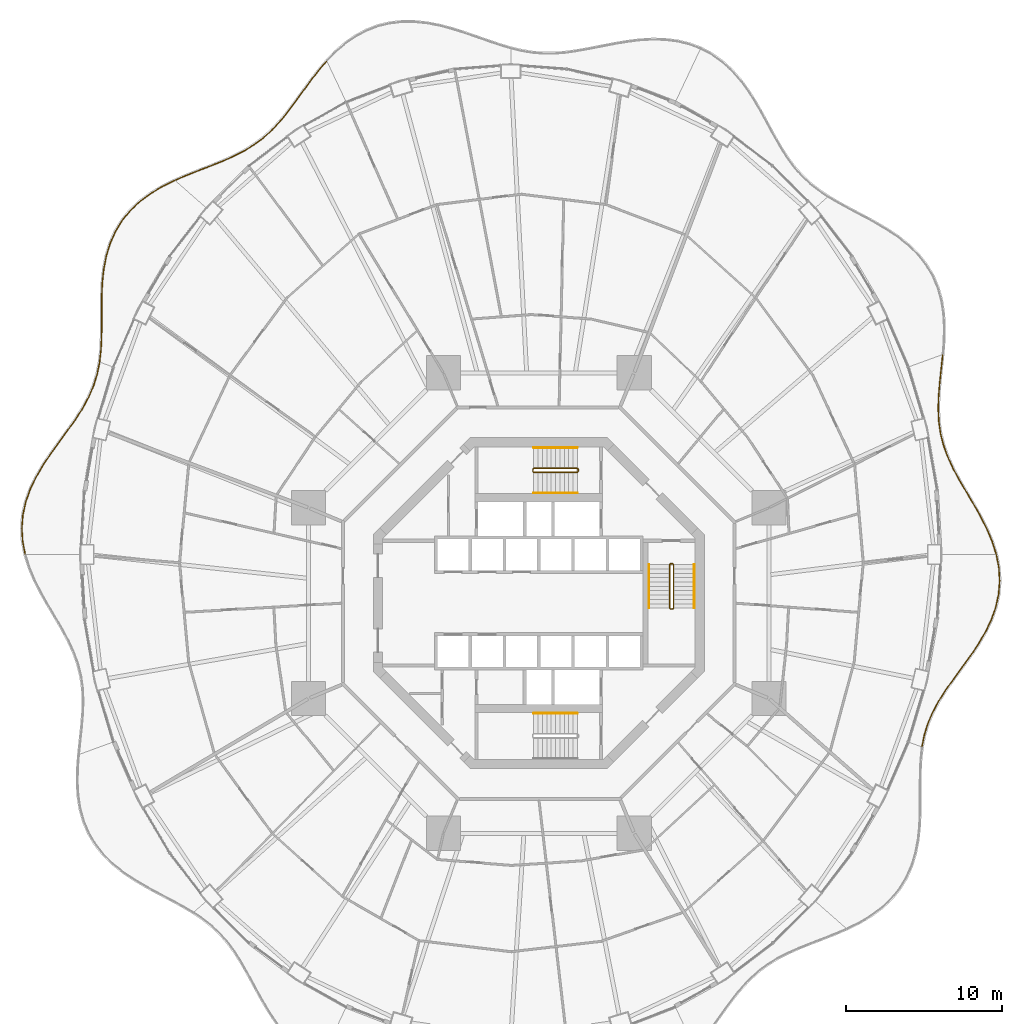
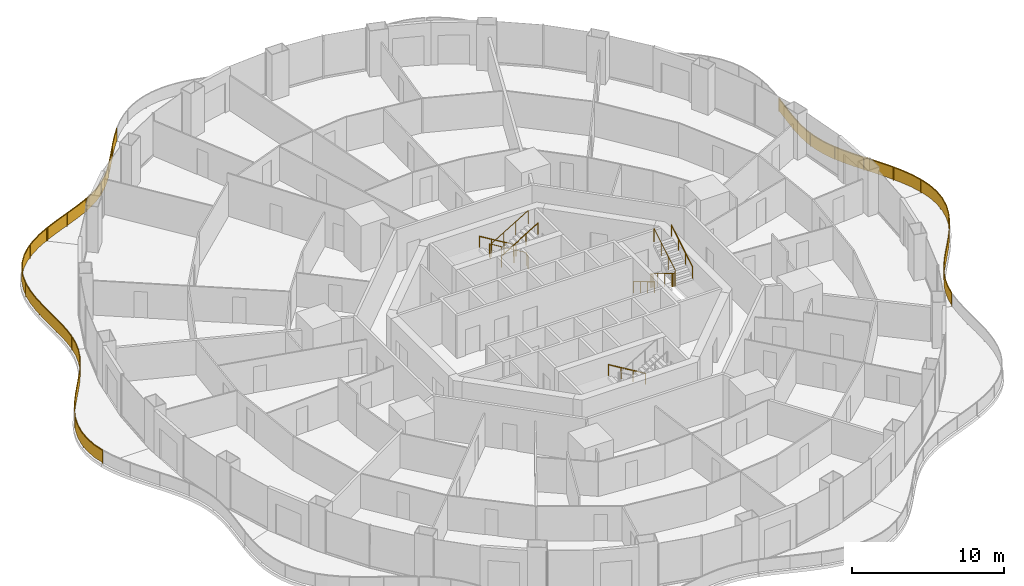
# One storey, part 21 of 22: 12 railings.
"""IFC4 building model written with IfcOpenShell, lengths in metres."""

from ifc_helpers import new_model, si_unit, direction, frame, origin, origin_2d, place, context, subcontext, project, spatial, polyline, rectangle, circle, outline, extrude, material, type_object, element, save


model = new_model("IFC4")

# Units and contexts
model_context = context("Model", 3, precision=1e-05, world=origin(), true_north=direction((0.0, 1.0)))
body_context = subcontext(model_context, "Body", "Model", "MODEL_VIEW")
ifc_project = project(units=[si_unit("LENGTHUNIT", "METRE"), si_unit("AREAUNIT", "SQUARE_METRE"), si_unit("VOLUMEUNIT", "CUBIC_METRE"), si_unit("PLANEANGLEUNIT", "RADIAN"), si_unit("MASSUNIT", "GRAM", prefix="KILO")], contexts=[model_context])

# Site, building, storey
site_placement = place(None, origin())
site = spatial("IfcSite", under=ifc_project, at=site_placement, CompositionType="ELEMENT")
building_placement = place(site_placement, origin())
building = spatial("IfcBuilding", under=site, at=building_placement, Name="Nagisa Residences", CompositionType="ELEMENT")
storey_placement = place(building_placement, frame((0.0, 0.0, 88.10009765625)))
storey = spatial("IfcBuildingStorey", under=building, at=storey_placement, Name="L21", CompositionType="ELEMENT", Elevation=88.10009765625)

# Railings
ifc_material_1 = material(Name="Stainless steel 316", Category="steel")
railing_type_1 = type_object("IfcRailingType", Name="BALCONY GUARD 1100", PredefinedType="BALUSTRADE", material=ifc_material_1)
railing_1_placement = place(storey_placement, frame((29.3564453125, 3.154541015625, 0.0)))
element("IfcRailing", 1, at=railing_1_placement, inside=storey, type_object=railing_type_1, Name="guard:L21:bal00-0", PredefinedType="BALUSTRADE", context=body_context, shape_type="SweptSolid", body=[
    extrude(outline(polyline([(-0.277099609375, 0.7880859375), (-0.02392578125, -0.007568359375), (0.02392578125, 0.007568359375), (-0.230224609375, 0.8056640625), (-0.58056640625, 1.6337890625), (-0.99267578125, 2.444091796875), (-1.440673828125, 3.235107421875), (-1.89892578125, 4.00830078125), (-2.339111328125, 4.7529296875), (-2.7412109375, 5.502197265625), (-3.0849609375, 6.248291015625), (-3.356201171875, 6.998779296875), (-3.54736328125, 7.761474609375), (-3.65478515625, 8.528564453125), (-3.6904296875, 9.333740234375), (-3.6640625, 10.16552734375), (-3.59228515625, 11.024169921875), (-3.497802734375, 11.90673828125), (-3.4072265625, 12.762451171875), (-3.45703125, 12.767822265625), (-3.547607421875, 11.912109375), (-3.64208984375, 11.029052734375), (-3.7138671875, 10.16845703125), (-3.74072265625, 9.333251953125), (-3.70458984375, 8.524169921875), (-3.5966796875, 7.751708984375), (-3.404052734375, 6.984130859375), (-3.13134765625, 6.229248046875), (-2.7861328125, 5.479736328125), (-2.382568359375, 4.728515625), (-1.94189453125, 3.98291015625), (-1.484130859375, 3.210205078125), (-1.03662109375, 2.420166015625), (-0.6259765625, 1.61279296875), (-0.277099609375, 0.7880859375)])), frame((0.0, 0.0, 1.050048828125)), (0.0, 0.0, 1.0), 0.050048828125),
    extrude(outline(polyline([(-0.26025390625, 0.79443359375), (-0.006591796875, -0.002197265625), (0.006591796875, 0.002197265625), (-0.2470703125, 0.79931640625), (-0.596923828125, 1.626220703125), (-1.008544921875, 2.435546875), (-1.456298828125, 3.22607421875), (-1.914306640625, 3.999267578125), (-2.354736328125, 4.744140625), (-2.75732421875, 5.494140625), (-3.1015625, 6.241455078125), (-3.37353515625, 6.993408203125), (-3.565185546875, 7.7578125), (-3.672607421875, 8.527099609375), (-3.70849609375, 9.33349609375), (-3.681884765625, 10.16650390625), (-3.610107421875, 11.02587890625), (-3.515625, 11.90869140625), (-3.425048828125, 12.764404296875), (-3.439208984375, 12.765869140625), (-3.52978515625, 11.91015625), (-3.624267578125, 11.02734375), (-3.696044921875, 10.16748046875), (-3.72265625, 9.33349609375), (-3.686767578125, 8.525634765625), (-3.578857421875, 7.75537109375), (-3.38671875, 6.989501953125), (-3.11474609375, 6.236083984375), (-2.77001953125, 5.48779296875), (-2.366943359375, 4.7373046875), (-1.926513671875, 3.991943359375), (-1.468505859375, 3.21923828125), (-1.020751953125, 2.4287109375), (-0.609619140625, 1.620361328125), (-0.26025390625, 0.79443359375)])), frame((0.0, 0.0, 0.06005859375)), (0.0, 0.0, 1.0), 0.989990234375),
    extrude(rectangle(XDim=0.0400390625, YDim=0.0400390625, at=origin_2d()), origin(), (0.0, 0.0, 1.0), 1.050048828125),
    extrude(rectangle(XDim=0.0400390625, YDim=0.0400390625, at=origin_2d()), frame((-0.845458984375, 2.099609375, 0.0)), (0.0, 0.0, 1.0), 1.050048828125),
    extrude(rectangle(XDim=0.0400390625, YDim=0.0400390625, at=origin_2d()), frame((-1.965087890625, 4.0712890625, 0.0)), (0.0, 0.0, 1.0), 1.050048828125),
    extrude(rectangle(XDim=0.0400390625, YDim=0.0400390625, at=origin_2d()), frame((-3.031005859375, 6.071044921875, 0.0)), (0.0, 0.0, 1.0), 1.050048828125),
    extrude(rectangle(XDim=0.0400390625, YDim=0.0400390625, at=origin_2d()), frame((-3.640380859375, 8.24609375, 0.0)), (0.0, 0.0, 1.0), 1.050048828125),
    extrude(rectangle(XDim=0.0400390625, YDim=0.0400390625, at=origin_2d()), frame((-3.660400390625, 10.5087890625, 0.0)), (0.0, 0.0, 1.0), 1.050048828125),
    extrude(rectangle(XDim=0.0400390625, YDim=0.0400390625, at=origin_2d()), frame((-3.43212890625, 12.76513671875, 0.0)), (0.0, 0.0, 1.0), 1.050048828125),
])
railing_2_placement = place(storey_placement, frame((-13.635986328125, 34.77734375, 0.0)))
element("IfcRailing", 2, at=railing_2_placement, inside=storey, type_object=railing_type_1, Name="guard:L21:bal05-0", PredefinedType="BALUSTRADE", context=body_context, shape_type="SweptSolid", body=[
    extrude(outline(polyline([(-0.5048828125, -0.634765625), (0.01904296875, -0.01611328125), (-0.01904296875, 0.01611328125), (-0.5439453125, -0.603515625), (-1.067138671875, -1.28076171875), (-1.565185546875, -1.962646484375), (-2.048828125, -2.630615234375), (-2.53076171875, -3.26904296875), (-3.008544921875, -3.8564453125), (-3.522216796875, -4.40283203125), (-4.067138671875, -4.89501953125), (-4.6513671875, -5.3330078125), (-5.279052734375, -5.721923828125), (-5.939208984375, -6.05859375), (-6.653076171875, -6.3759765625), (-7.401611328125, -6.676025390625), (-8.1748046875, -6.973876953125), (-8.95947265625, -7.28369140625), (-9.698486328125, -7.60009765625), (-9.678955078125, -7.64599609375), (-8.9404296875, -7.330078125), (-8.15673828125, -7.020263671875), (-7.383544921875, -6.722412109375), (-6.633544921875, -6.421875), (-5.917724609375, -6.10400390625), (-5.254638671875, -5.765380859375), (-4.623046875, -5.37451171875), (-4.035400390625, -4.93359375), (-3.487060546875, -4.4384765625), (-2.970947265625, -3.8896484375), (-2.4912109375, -3.2998046875), (-2.0087890625, -2.660400390625), (-1.524658203125, -1.991943359375), (-1.027099609375, -1.31103515625), (-0.5048828125, -0.634765625)])), frame((0.0, 0.0, 1.050048828125)), (0.0, 0.0, 1.0), 0.050048828125),
    extrude(outline(polyline([(-0.51904296875, -0.62353515625), (0.00537109375, -0.004638671875), (-0.00537109375, 0.004638671875), (-0.52978515625, -0.61474609375), (-1.052734375, -1.291748046875), (-1.550537109375, -1.97314453125), (-2.034423828125, -2.641357421875), (-2.5166015625, -3.280029296875), (-2.9951171875, -3.868408203125), (-3.509521484375, -4.415771484375), (-4.0556640625, -4.908935546875), (-4.64111328125, -5.347900390625), (-5.270263671875, -5.737548828125), (-5.931396484375, -6.074951171875), (-6.64599609375, -6.392578125), (-7.39501953125, -6.692626953125), (-8.168212890625, -6.990478515625), (-8.95263671875, -7.30029296875), (-9.69140625, -7.61669921875), (-9.68603515625, -7.62939453125), (-8.947265625, -7.3134765625), (-8.163330078125, -7.003662109375), (-7.39013671875, -6.705810546875), (-6.640625, -6.4052734375), (-5.925537109375, -6.087646484375), (-5.263427734375, -5.749755859375), (-4.63330078125, -5.359619140625), (-4.046875, -4.919677734375), (-3.499755859375, -4.425537109375), (-2.984375, -3.877685546875), (-2.50537109375, -3.288818359375), (-2.023193359375, -2.649658203125), (-1.539306640625, -1.9814453125), (-1.04150390625, -1.300048828125), (-0.51904296875, -0.62353515625)])), frame((0.0, 0.0, 0.06005859375)), (0.0, 0.0, 1.0), 0.989990234375),
    extrude(rectangle(XDim=0.0400390625, YDim=0.0400390625, at=origin_2d()), origin(), (0.0, 0.0, 1.0), 1.050048828125),
    extrude(rectangle(XDim=0.0400390625, YDim=0.0400390625, at=origin_2d()), frame((-1.30908203125, -1.654541015625, 0.0)), (0.0, 0.0, 1.0), 1.050048828125),
    extrude(rectangle(XDim=0.0400390625, YDim=0.0400390625, at=origin_2d()), frame((-2.564697265625, -3.3505859375, 0.0)), (0.0, 0.0, 1.0), 1.050048828125),
    extrude(rectangle(XDim=0.0400390625, YDim=0.0400390625, at=origin_2d()), frame((-4.013427734375, -4.880126953125, 0.0)), (0.0, 0.0, 1.0), 1.050048828125),
    extrude(rectangle(XDim=0.0400390625, YDim=0.0400390625, at=origin_2d()), frame((-5.789306640625, -6.01025390625, 0.0)), (0.0, 0.0, 1.0), 1.050048828125),
    extrude(rectangle(XDim=0.0400390625, YDim=0.0400390625, at=origin_2d()), frame((-7.73291015625, -6.830322265625, 0.0)), (0.0, 0.0, 1.0), 1.050048828125),
    extrude(rectangle(XDim=0.0400390625, YDim=0.0400390625, at=origin_2d()), frame((-9.688720703125, -7.623046875, 0.0)), (0.0, 0.0, 1.0), 1.050048828125),
])
railing_3_placement = place(storey_placement, frame((-23.395263671875, 27.123046875, 0.0)))
element("IfcRailing", 3, at=railing_3_placement, inside=storey, type_object=railing_type_1, Name="guard:L21:bal06-0", PredefinedType="BALUSTRADE", context=body_context, shape_type="SweptSolid", body=[
    extrude(outline(polyline([(-0.743896484375, -0.39453125), (0.010986328125, -0.0224609375), (-0.010986328125, 0.0224609375), (-0.767822265625, -0.3505859375), (-1.5234375, -0.802001953125), (-2.219482421875, -1.31689453125), (-2.84033203125, -1.900146484375), (-3.373291015625, -2.551025390625), (-3.80419921875, -3.255126953125), (-4.146240234375, -4.028564453125), (-4.395263671875, -4.84912109375), (-4.55908203125, -5.704833984375), (-4.65234375, -6.582275390625), (-4.685791015625, -7.455322265625), (-4.693359375, -8.33740234375), (-4.68994140625, -9.20556640625), (-4.697509765625, -10.05078125), (-4.737060546875, -10.867919921875), (-4.820556640625, -11.61328125), (-4.770751953125, -11.61865234375), (-4.687255859375, -10.871826171875), (-4.647705078125, -10.05224609375), (-4.6396484375, -9.20556640625), (-4.64306640625, -8.33740234375), (-4.635986328125, -7.456298828125), (-4.6025390625, -6.585693359375), (-4.509765625, -5.712158203125), (-4.346435546875, -4.861328125), (-4.099365234375, -4.046142578125), (-3.759765625, -3.278564453125), (-3.332275390625, -2.579833984375), (-2.8037109375, -1.934326171875), (-2.187255859375, -1.35546875), (-1.49560546875, -0.843505859375), (-0.743896484375, -0.39453125)])), frame((0.0, 0.0, 1.050048828125)), (0.0, 0.0, 1.0), 0.050048828125),
    extrude(outline(polyline([(-0.75244140625, -0.378662109375), (0.003173828125, -0.00634765625), (-0.003173828125, 0.00634765625), (-0.75927734375, -0.366455078125), (-1.513427734375, -0.81689453125), (-2.207763671875, -1.330810546875), (-2.8271484375, -1.912353515625), (-3.3583984375, -2.561279296875), (-3.7880859375, -3.263671875), (-4.12939453125, -4.034912109375), (-4.377685546875, -4.853515625), (-4.541259765625, -5.70751953125), (-4.634521484375, -6.58349609375), (-4.66796875, -7.45556640625), (-4.67529296875, -8.33740234375), (-4.671875, -9.20556640625), (-4.6796875, -10.05126953125), (-4.71923828125, -10.869384765625), (-4.802490234375, -11.615234375), (-4.788818359375, -11.61669921875), (-4.705078125, -10.870361328125), (-4.66552734375, -10.0517578125), (-4.65771484375, -9.20556640625), (-4.6611328125, -8.33740234375), (-4.65380859375, -7.4560546875), (-4.620361328125, -6.58447265625), (-4.527587890625, -5.70947265625), (-4.364013671875, -4.85693359375), (-4.1162109375, -4.039794921875), (-3.77587890625, -3.27001953125), (-3.34716796875, -2.569580078125), (-2.81689453125, -1.922119140625), (-2.198974609375, -1.341552734375), (-1.505615234375, -0.82861328125), (-0.75244140625, -0.378662109375)])), frame((0.0, 0.0, 0.06005859375)), (0.0, 0.0, 1.0), 0.989990234375),
    extrude(rectangle(XDim=0.0400390625, YDim=0.0400390625, at=origin_2d()), origin(), (0.0, 0.0, 1.0), 1.050048828125),
    extrude(rectangle(XDim=0.0400390625, YDim=0.0400390625, at=origin_2d()), frame((-1.945556640625, -1.145263671875, 0.0)), (0.0, 0.0, 1.0), 1.050048828125),
    extrude(rectangle(XDim=0.0400390625, YDim=0.0400390625, at=origin_2d()), frame((-3.486083984375, -2.783447265625, 0.0)), (0.0, 0.0, 1.0), 1.050048828125),
    extrude(rectangle(XDim=0.0400390625, YDim=0.0400390625, at=origin_2d()), frame((-4.37060546875, -4.854248046875, 0.0)), (0.0, 0.0, 1.0), 1.050048828125),
    extrude(rectangle(XDim=0.0400390625, YDim=0.0400390625, at=origin_2d()), frame((-4.64697265625, -7.09619140625, 0.0)), (0.0, 0.0, 1.0), 1.050048828125),
    extrude(rectangle(XDim=0.0400390625, YDim=0.0400390625, at=origin_2d()), frame((-4.666259765625, -9.358642578125, 0.0)), (0.0, 0.0, 1.0), 1.050048828125),
    extrude(rectangle(XDim=0.0400390625, YDim=0.0400390625, at=origin_2d()), frame((-4.795654296875, -11.615966796875, 0.0)), (0.0, 0.0, 1.0), 1.050048828125),
])
railing_4_placement = place(storey_placement, frame((-28.199951171875, 15.43701171875, 0.0)))
element("IfcRailing", 4, at=railing_4_placement, inside=storey, type_object=railing_type_1, Name="guard:L21:bal07-0", PredefinedType="BALUSTRADE", context=body_context, shape_type="SweptSolid", body=[
    extrude(outline(polyline([(-0.125244140625, -0.746337890625), (0.0244140625, -0.0048828125), (-0.0244140625, 0.0048828125), (-0.173583984375, -0.734130859375), (-0.4072265625, -1.484375), (-0.719482421875, -2.2119140625), (-1.10693359375, -2.92431640625), (-1.55908203125, -3.6298828125), (-2.056396484375, -4.324462890625), (-2.584228515625, -5.04296875), (-3.114990234375, -5.777587890625), (-3.622802734375, -6.533935546875), (-4.0810546875, -7.314208984375), (-4.46533203125, -8.10400390625), (-4.758056640625, -8.92919921875), (-4.9423828125, -9.77099609375), (-5.009765625, -10.623291015625), (-4.958251953125, -11.4794921875), (-4.80078125, -12.2861328125), (-4.75146484375, -12.2763671875), (-4.908447265625, -11.47314453125), (-4.95947265625, -10.623779296875), (-4.892578125, -9.7783203125), (-4.709716796875, -8.94287109375), (-4.4189453125, -8.12353515625), (-4.037109375, -7.337646484375), (-3.580322265625, -6.560791015625), (-3.073974609375, -5.806396484375), (-2.543701171875, -5.072265625), (-2.015869140625, -4.353759765625), (-1.517578125, -3.658203125), (-1.06396484375, -2.94970703125), (-0.674560546875, -2.23388671875), (-0.3603515625, -1.501953125), (-0.125244140625, -0.746337890625)])), frame((0.0, 0.0, 1.050048828125)), (0.0, 0.0, 1.0), 0.050048828125),
    extrude(outline(polyline([(-0.142578125, -0.741943359375), (0.0068359375, -0.00146484375), (-0.0068359375, 0.00146484375), (-0.15625, -0.738525390625), (-0.390380859375, -1.49072265625), (-0.703369140625, -2.2197265625), (-1.091552734375, -2.933349609375), (-1.544189453125, -3.64013671875), (-2.041748046875, -4.3349609375), (-2.569580078125, -5.053466796875), (-3.100341796875, -5.7880859375), (-3.607421875, -6.543701171875), (-4.065185546875, -7.322509765625), (-4.448486328125, -8.111083984375), (-4.74072265625, -8.93408203125), (-4.92431640625, -9.773681640625), (-4.99169921875, -10.62353515625), (-4.9404296875, -11.477294921875), (-4.782958984375, -12.282470703125), (-4.769287109375, -12.280029296875), (-4.92626953125, -11.475341796875), (-4.9775390625, -10.62353515625), (-4.91064453125, -9.775634765625), (-4.72705078125, -8.93798828125), (-4.435791015625, -8.116455078125), (-4.052978515625, -7.329345703125), (-3.595703125, -6.551025390625), (-3.088623046875, -5.7958984375), (-2.558349609375, -5.061767578125), (-2.030517578125, -4.34326171875), (-1.532470703125, -3.64794921875), (-1.079345703125, -2.940673828125), (-0.690673828125, -2.22607421875), (-0.377197265625, -1.49560546875), (-0.142578125, -0.741943359375)])), frame((0.0, 0.0, 0.06005859375)), (0.0, 0.0, 1.0), 0.989990234375),
    extrude(rectangle(XDim=0.0400390625, YDim=0.0400390625, at=origin_2d()), origin(), (0.0, 0.0, 1.0), 1.050048828125),
    extrude(rectangle(XDim=0.0400390625, YDim=0.0400390625, at=origin_2d()), frame((-0.668212890625, -2.15576171875, 0.0)), (0.0, 0.0, 1.0), 1.050048828125),
    extrude(rectangle(XDim=0.0400390625, YDim=0.0400390625, at=origin_2d()), frame((-1.852294921875, -4.082275390625, 0.0)), (0.0, 0.0, 1.0), 1.050048828125),
    extrude(rectangle(XDim=0.0400390625, YDim=0.0400390625, at=origin_2d()), frame((-3.178955078125, -5.917724609375, 0.0)), (0.0, 0.0, 1.0), 1.050048828125),
    extrude(rectangle(XDim=0.0400390625, YDim=0.0400390625, at=origin_2d()), frame((-4.322998046875, -7.86865234375, 0.0)), (0.0, 0.0, 1.0), 1.050048828125),
    extrude(rectangle(XDim=0.0400390625, YDim=0.0400390625, at=origin_2d()), frame((-4.93798828125, -10.03515625, 0.0)), (0.0, 0.0, 1.0), 1.050048828125),
    extrude(rectangle(XDim=0.0400390625, YDim=0.0400390625, at=origin_2d()), frame((-4.776123046875, -12.28125, 0.0)), (0.0, 0.0, 1.0), 1.050048828125),
])
railing_5_placement = place(storey_placement, frame((24.60009765625, -9.20166015625, 0.0)))
element("IfcRailing", 5, at=railing_5_placement, inside=storey, type_object=railing_type_1, Name="guard:L21:bal15-0", PredefinedType="BALUSTRADE", context=body_context, shape_type="SweptSolid", body=[
    extrude(outline(polyline([(0.125244140625, 0.746337890625), (-0.0244140625, 0.0048828125), (0.0244140625, -0.0048828125), (0.173583984375, 0.734130859375), (0.406982421875, 1.484375), (0.719482421875, 2.2119140625), (1.106689453125, 2.92431640625), (1.558837890625, 3.630126953125), (2.05615234375, 4.32470703125), (2.583984375, 5.04296875), (3.11474609375, 5.777587890625), (3.62255859375, 6.533935546875), (4.0810546875, 7.314208984375), (4.46533203125, 8.10400390625), (4.7578125, 8.92919921875), (4.942138671875, 9.77099609375), (5.009521484375, 10.623291015625), (4.9580078125, 11.4794921875), (4.80078125, 12.286376953125), (4.75146484375, 12.276611328125), (4.908203125, 11.47314453125), (4.959228515625, 10.623779296875), (4.892333984375, 9.7783203125), (4.70947265625, 8.94287109375), (4.4189453125, 8.12353515625), (4.037109375, 7.337646484375), (3.580078125, 6.560791015625), (3.07373046875, 5.806396484375), (2.54345703125, 5.072265625), (2.015625, 4.35400390625), (1.517333984375, 3.658447265625), (1.063720703125, 2.94970703125), (0.674560546875, 2.23388671875), (0.360107421875, 1.501953125), (0.125244140625, 0.746337890625)])), frame((0.0, 0.0, 1.050048828125)), (0.0, 0.0, 1.0), 0.050048828125),
    extrude(outline(polyline([(0.142578125, 0.741943359375), (-0.0068359375, 0.00146484375), (0.0068359375, -0.00146484375), (0.15625, 0.738525390625), (0.39013671875, 1.49072265625), (0.703369140625, 2.2197265625), (1.09130859375, 2.933349609375), (1.5439453125, 3.640380859375), (2.04150390625, 4.335205078125), (2.5693359375, 5.053466796875), (3.10009765625, 5.7880859375), (3.607177734375, 6.543701171875), (4.065185546875, 7.322509765625), (4.448486328125, 8.111083984375), (4.740478515625, 8.93408203125), (4.924072265625, 9.773681640625), (4.991455078125, 10.62353515625), (4.940185546875, 11.477294921875), (4.782958984375, 12.28271484375), (4.769287109375, 12.2802734375), (4.926025390625, 11.475341796875), (4.977294921875, 10.62353515625), (4.910400390625, 9.775634765625), (4.726806640625, 8.93798828125), (4.435791015625, 8.116455078125), (4.052978515625, 7.329345703125), (3.595458984375, 6.551025390625), (3.08837890625, 5.7958984375), (2.55810546875, 5.061767578125), (2.0302734375, 4.343505859375), (1.5322265625, 3.648193359375), (1.0791015625, 2.940673828125), (0.690673828125, 2.22607421875), (0.376953125, 1.49560546875), (0.142578125, 0.741943359375)])), frame((0.0, 0.0, 0.06005859375)), (0.0, 0.0, 1.0), 0.989990234375),
    extrude(rectangle(XDim=0.0400390625, YDim=0.0400390625, at=origin_2d()), origin(), (0.0, 0.0, 1.0), 1.050048828125),
    extrude(rectangle(XDim=0.0400390625, YDim=0.0400390625, at=origin_2d()), frame((0.668212890625, 2.15576171875, 0.0)), (0.0, 0.0, 1.0), 1.050048828125),
    extrude(rectangle(XDim=0.0400390625, YDim=0.0400390625, at=origin_2d()), frame((1.85205078125, 4.08251953125, 0.0)), (0.0, 0.0, 1.0), 1.050048828125),
    extrude(rectangle(XDim=0.0400390625, YDim=0.0400390625, at=origin_2d()), frame((3.1787109375, 5.91796875, 0.0)), (0.0, 0.0, 1.0), 1.050048828125),
    extrude(rectangle(XDim=0.0400390625, YDim=0.0400390625, at=origin_2d()), frame((4.322998046875, 7.86865234375, 0.0)), (0.0, 0.0, 1.0), 1.050048828125),
    extrude(rectangle(XDim=0.0400390625, YDim=0.0400390625, at=origin_2d()), frame((4.937744140625, 10.03515625, 0.0)), (0.0, 0.0, 1.0), 1.050048828125),
    extrude(rectangle(XDim=0.0400390625, YDim=0.0400390625, at=origin_2d()), frame((4.776123046875, 12.281494140625, 0.0)), (0.0, 0.0, 1.0), 1.050048828125),
])
ifc_material_2 = material(Name="Stainless steel", Category="steel")
railing_type_2 = type_object("IfcRailingType", Name="Stair guard 1100", PredefinedType="GUARDRAIL", material=ifc_material_2)
railing_6_placement = place(storey_placement, frame((8.599609375, 2.52490234375, 0.0)))
element("IfcRailing", 6, at=railing_6_placement, inside=storey, type_object=railing_type_2, Name="L21 ST-E stair guard 1", PredefinedType="GUARDRAIL", context=body_context, shape_type="SweptSolid", body=[
    extrude(circle(Radius=0.02392578125, at=origin_2d()), frame((0.0, 0.0, 1.076171875), z_axis=(-1.0, 0.0, 0.0), x_axis=(0.0, -1.0, 0.0)), (0.0, 0.0, 1.0), 0.14990234375),
    extrude(circle(Radius=0.02392578125, at=origin_2d()), frame((-0.14990234375, 0.0, 1.076171875), z_axis=(-0.274683208305, -0.273343290215, 0.921863645432), x_axis=(0.705375805398, -0.708833529934, 0.0)), (0.0, 0.0, 1.0), 0.18212890625),
    extrude(circle(Radius=0.02392578125, at=origin_2d()), frame((-0.199951171875, -0.0498046875, 1.244140625), z_axis=(0.0, -0.857242210791, 0.514913383045), x_axis=(1.0, 0.0, 0.0)), (0.0, 0.0, 1.0), 3.266357421875),
    extrude(circle(Radius=0.02392578125, at=origin_2d()), frame((-0.199951171875, -2.849853515625, 2.92578125), z_axis=(0.707106781187, -0.707106781187, 0.0), x_axis=(0.707106781187, 0.707106781187, 0.0)), (0.0, 0.0, 1.0), 0.07080078125),
    extrude(circle(Radius=0.02392578125, at=origin_2d()), frame((-0.14990234375, -2.89990234375, 2.92578125), z_axis=(1.0, 0.0, 0.0), x_axis=(0.0, 1.0, 0.0)), (0.0, 0.0, 1.0), 0.14990234375),
    extrude(circle(Radius=0.02392578125, at=origin_2d()), frame((0.0, -2.89990234375, 2.92578125), z_axis=(0.274243871929, 0.274243871929, 0.92172696468), x_axis=(-0.707106781187, 0.707106781187, 0.0)), (0.0, 0.0, 1.0), 0.1826171875),
    extrude(circle(Radius=0.02392578125, at=origin_2d()), frame((0.050048828125, -2.849853515625, 3.09423828125), z_axis=(0.0, 0.857242210791, 0.514913383045), x_axis=(-1.0, 0.0, 0.0)), (0.0, 0.0, 1.0), 3.266357421875),
    extrude(circle(Radius=0.02099609375, at=origin_2d()), origin(), (0.0, 0.0, 1.0), 1.052001953125),
    extrude(circle(Radius=0.02099609375, at=origin_2d()), frame((-0.14990234375, 0.0, 0.0)), (0.0, 0.0, 1.0), 1.052001953125),
    extrude(circle(Radius=0.02099609375, at=origin_2d()), frame((-0.199951171875, -0.0498046875, 0.16796875)), (0.0, 0.0, 1.0), 1.052001953125),
    extrude(circle(Radius=0.02099609375, at=origin_2d()), frame((-0.199951171875, -0.983154296875, 0.728515625)), (0.0, 0.0, 1.0), 1.052001953125),
    extrude(circle(Radius=0.02099609375, at=origin_2d()), frame((-0.199951171875, -1.91650390625, 1.289306640625)), (0.0, 0.0, 1.0), 1.052001953125),
    extrude(circle(Radius=0.02099609375, at=origin_2d()), frame((-0.199951171875, -2.849853515625, 1.849853515625)), (0.0, 0.0, 1.0), 1.052001953125),
    extrude(circle(Radius=0.02099609375, at=origin_2d()), frame((-0.14990234375, -2.89990234375, 1.849853515625)), (0.0, 0.0, 1.0), 1.052001953125),
    extrude(circle(Radius=0.02099609375, at=origin_2d()), frame((0.0, -2.89990234375, 1.849853515625)), (0.0, 0.0, 1.0), 1.052001953125),
    extrude(circle(Radius=0.02099609375, at=origin_2d()), frame((0.050048828125, -2.849853515625, 2.01806640625)), (0.0, 0.0, 1.0), 1.052001953125),
    extrude(circle(Radius=0.02099609375, at=origin_2d()), frame((0.050048828125, -1.91650390625, 2.57861328125)), (0.0, 0.0, 1.0), 1.052001953125),
    extrude(circle(Radius=0.02099609375, at=origin_2d()), frame((0.050048828125, -0.983154296875, 3.139404296875)), (0.0, 0.0, 1.0), 1.052001953125),
    extrude(circle(Radius=0.02099609375, at=origin_2d()), frame((0.050048828125, -0.0498046875, 3.699951171875)), (0.0, 0.0, 1.0), 1.052001953125),
])
railing_7_placement = place(storey_placement, frame((2.52490234375, 8.44970703125, 0.0)))
element("IfcRailing", 7, at=railing_7_placement, inside=storey, type_object=railing_type_2, Name="L21 ST-N stair guard 1", PredefinedType="GUARDRAIL", context=body_context, shape_type="SweptSolid", body=[
    extrude(circle(Radius=0.02392578125, at=origin_2d()), frame((0.0, 0.0, 1.076171875), z_axis=(0.0, 1.0, 0.0), x_axis=(-1.0, 0.0, 0.0)), (0.0, 0.0, 1.0), 0.14990234375),
    extrude(circle(Radius=0.02392578125, at=origin_2d()), frame((0.0, 0.14990234375, 1.076171875), z_axis=(-0.273343290215, 0.274683208305, 0.921863645432), x_axis=(-0.708833529934, -0.705375805398, 0.0)), (0.0, 0.0, 1.0), 0.18212890625),
    extrude(circle(Radius=0.02392578125, at=origin_2d()), frame((-0.0498046875, 0.199951171875, 1.244140625), z_axis=(-0.857242210791, 0.0, 0.514913383045), x_axis=(0.0, -1.0, 0.0)), (0.0, 0.0, 1.0), 3.266357421875),
    extrude(circle(Radius=0.02392578125, at=origin_2d()), frame((-2.849853515625, 0.199951171875, 2.92578125), z_axis=(-0.707106781187, -0.707106781187, 0.0), x_axis=(0.707106781187, -0.707106781187, 0.0)), (0.0, 0.0, 1.0), 0.07080078125),
    extrude(circle(Radius=0.02392578125, at=origin_2d()), frame((-2.89990234375, 0.14990234375, 2.92578125), z_axis=(0.0, -1.0, 0.0), x_axis=(1.0, 0.0, 0.0)), (0.0, 0.0, 1.0), 0.14990234375),
    extrude(circle(Radius=0.02392578125, at=origin_2d()), frame((-2.89990234375, 0.0, 2.92578125), z_axis=(0.274243871929, -0.274243871929, 0.92172696468), x_axis=(0.707106781187, 0.707106781187, 0.0)), (0.0, 0.0, 1.0), 0.1826171875),
    extrude(circle(Radius=0.02392578125, at=origin_2d()), frame((-2.849853515625, -0.050048828125, 3.09423828125), z_axis=(0.857242210791, 0.0, 0.514913383045), x_axis=(0.0, 1.0, 0.0)), (0.0, 0.0, 1.0), 3.266357421875),
    extrude(circle(Radius=0.02099609375, at=origin_2d()), origin(), (0.0, 0.0, 1.0), 1.052001953125),
    extrude(circle(Radius=0.02099609375, at=origin_2d()), frame((0.0, 0.14990234375, 0.0)), (0.0, 0.0, 1.0), 1.052001953125),
    extrude(circle(Radius=0.02099609375, at=origin_2d()), frame((-0.0498046875, 0.199951171875, 0.16796875)), (0.0, 0.0, 1.0), 1.052001953125),
    extrude(circle(Radius=0.02099609375, at=origin_2d()), frame((-0.983154296875, 0.199951171875, 0.728515625)), (0.0, 0.0, 1.0), 1.052001953125),
    extrude(circle(Radius=0.02099609375, at=origin_2d()), frame((-1.91650390625, 0.199951171875, 1.289306640625)), (0.0, 0.0, 1.0), 1.052001953125),
    extrude(circle(Radius=0.02099609375, at=origin_2d()), frame((-2.849853515625, 0.199951171875, 1.849853515625)), (0.0, 0.0, 1.0), 1.052001953125),
    extrude(circle(Radius=0.02099609375, at=origin_2d()), frame((-2.89990234375, 0.14990234375, 1.849853515625)), (0.0, 0.0, 1.0), 1.052001953125),
    extrude(circle(Radius=0.02099609375, at=origin_2d()), frame((-2.89990234375, 0.0, 1.849853515625)), (0.0, 0.0, 1.0), 1.052001953125),
    extrude(circle(Radius=0.02099609375, at=origin_2d()), frame((-2.849853515625, -0.050048828125, 2.01806640625)), (0.0, 0.0, 1.0), 1.052001953125),
    extrude(circle(Radius=0.02099609375, at=origin_2d()), frame((-1.91650390625, -0.050048828125, 2.57861328125)), (0.0, 0.0, 1.0), 1.052001953125),
    extrude(circle(Radius=0.02099609375, at=origin_2d()), frame((-0.983154296875, -0.050048828125, 3.139404296875)), (0.0, 0.0, 1.0), 1.052001953125),
    extrude(circle(Radius=0.02099609375, at=origin_2d()), frame((-0.0498046875, -0.050048828125, 3.699951171875)), (0.0, 0.0, 1.0), 1.052001953125),
])
ifc_material_3 = material(Name="Stainless steel", Category="steel")
railing_type_3 = type_object("IfcRailingType", Name="Stair handrail 900", PredefinedType="HANDRAIL", material=ifc_material_3)
railing_8_placement = place(storey_placement, frame((7.07470703125, 2.47509765625, 0.16796875)))
element("IfcRailing", 8, at=railing_8_placement, inside=storey, type_object=railing_type_3, Name="L21 ST-E stair handrail 1", PredefinedType="HANDRAIL", context=body_context, shape_type="SweptSolid", body=[
    extrude(circle(Radius=0.02392578125, at=origin_2d()), frame((0.0, 0.0, 0.8759765625), z_axis=(0.0, -0.857242210791, 0.514913383045), x_axis=(1.0, 0.0, 0.0)), (0.0, 0.0, 1.0), 3.266357421875),
    extrude(circle(Radius=0.02099609375, at=origin_2d()), origin(), (0.0, 0.0, 1.0), 0.851806640625),
    extrude(circle(Radius=0.02099609375, at=origin_2d()), frame((0.0, -0.933349609375, 0.560546875)), (0.0, 0.0, 1.0), 0.851806640625),
    extrude(circle(Radius=0.02099609375, at=origin_2d()), frame((0.0, -1.86669921875, 1.121337890625)), (0.0, 0.0, 1.0), 0.851806640625),
    extrude(circle(Radius=0.02099609375, at=origin_2d()), frame((0.0, -2.800048828125, 1.681884765625)), (0.0, 0.0, 1.0), 0.851806640625),
])
railing_9_placement = place(storey_placement, frame((9.974609375, -0.324951171875, 2.01806640625)))
element("IfcRailing", 9, at=railing_9_placement, inside=storey, type_object=railing_type_3, Name="L21 ST-E stair handrail 2", PredefinedType="HANDRAIL", context=body_context, shape_type="SweptSolid", body=[
    extrude(circle(Radius=0.02392578125, at=origin_2d()), frame((0.0, 0.0, 0.8759765625), z_axis=(0.0, 0.857242210791, 0.514913383045), x_axis=(-1.0, 0.0, 0.0)), (0.0, 0.0, 1.0), 3.266357421875),
    extrude(circle(Radius=0.02099609375, at=origin_2d()), origin(), (0.0, 0.0, 1.0), 0.851806640625),
    extrude(circle(Radius=0.02099609375, at=origin_2d()), frame((0.0, 0.933349609375, 0.560546875)), (0.0, 0.0, 1.0), 0.851806640625),
    extrude(circle(Radius=0.02099609375, at=origin_2d()), frame((0.0, 1.86669921875, 1.121337890625)), (0.0, 0.0, 1.0), 0.851806640625),
    extrude(circle(Radius=0.02099609375, at=origin_2d()), frame((0.0, 2.800048828125, 1.681884765625)), (0.0, 0.0, 1.0), 0.851806640625),
])
railing_10_placement = place(storey_placement, frame((2.47509765625, 9.974609375, 0.16796875)))
element("IfcRailing", 10, at=railing_10_placement, inside=storey, type_object=railing_type_3, Name="L21 ST-N stair handrail 1", PredefinedType="HANDRAIL", context=body_context, shape_type="SweptSolid", body=[
    extrude(circle(Radius=0.02392578125, at=origin_2d()), frame((0.0, 0.0, 0.8759765625), z_axis=(-0.857242210791, 0.0, 0.514913383045), x_axis=(0.0, -1.0, 0.0)), (0.0, 0.0, 1.0), 3.266357421875),
    extrude(circle(Radius=0.02099609375, at=origin_2d()), origin(), (0.0, 0.0, 1.0), 0.851806640625),
    extrude(circle(Radius=0.02099609375, at=origin_2d()), frame((-0.933349609375, 0.0, 0.560546875)), (0.0, 0.0, 1.0), 0.851806640625),
    extrude(circle(Radius=0.02099609375, at=origin_2d()), frame((-1.86669921875, 0.0, 1.121337890625)), (0.0, 0.0, 1.0), 0.851806640625),
    extrude(circle(Radius=0.02099609375, at=origin_2d()), frame((-2.800048828125, 0.0, 1.681884765625)), (0.0, 0.0, 1.0), 0.851806640625),
])
railing_11_placement = place(storey_placement, frame((-0.324951171875, 7.07470703125, 2.01806640625)))
element("IfcRailing", 11, at=railing_11_placement, inside=storey, type_object=railing_type_3, Name="L21 ST-N stair handrail 2", PredefinedType="HANDRAIL", context=body_context, shape_type="SweptSolid", body=[
    extrude(circle(Radius=0.02392578125, at=origin_2d()), frame((0.0, 0.0, 0.8759765625), z_axis=(0.857242210791, 0.0, 0.514913383045), x_axis=(0.0, 1.0, 0.0)), (0.0, 0.0, 1.0), 3.266357421875),
    extrude(circle(Radius=0.02099609375, at=origin_2d()), origin(), (0.0, 0.0, 1.0), 0.851806640625),
    extrude(circle(Radius=0.02099609375, at=origin_2d()), frame((0.933349609375, 0.0, 0.560546875)), (0.0, 0.0, 1.0), 0.851806640625),
    extrude(circle(Radius=0.02099609375, at=origin_2d()), frame((1.86669921875, 0.0, 1.121337890625)), (0.0, 0.0, 1.0), 0.851806640625),
    extrude(circle(Radius=0.02099609375, at=origin_2d()), frame((2.800048828125, 0.0, 1.681884765625)), (0.0, 0.0, 1.0), 0.851806640625),
])
railing_12_placement = place(storey_placement, frame((2.47509765625, -7.07470703125, 0.16796875)))
element("IfcRailing", 12, at=railing_12_placement, inside=storey, type_object=railing_type_3, Name="L21 ST-S stair handrail 1", PredefinedType="HANDRAIL", context=body_context, shape_type="SweptSolid", body=[
    extrude(circle(Radius=0.02392578125, at=origin_2d()), frame((0.0, 0.0, 0.8759765625), z_axis=(-0.857242210791, 0.0, 0.514913383045), x_axis=(0.0, -1.0, 0.0)), (0.0, 0.0, 1.0), 3.266357421875),
    extrude(circle(Radius=0.02099609375, at=origin_2d()), origin(), (0.0, 0.0, 1.0), 0.851806640625),
    extrude(circle(Radius=0.02099609375, at=origin_2d()), frame((-0.933349609375, 0.0, 0.560546875)), (0.0, 0.0, 1.0), 0.851806640625),
    extrude(circle(Radius=0.02099609375, at=origin_2d()), frame((-1.86669921875, 0.0, 1.121337890625)), (0.0, 0.0, 1.0), 0.851806640625),
    extrude(circle(Radius=0.02099609375, at=origin_2d()), frame((-2.800048828125, 0.0, 1.681884765625)), (0.0, 0.0, 1.0), 0.851806640625),
])

save(model, "model.ifc")
